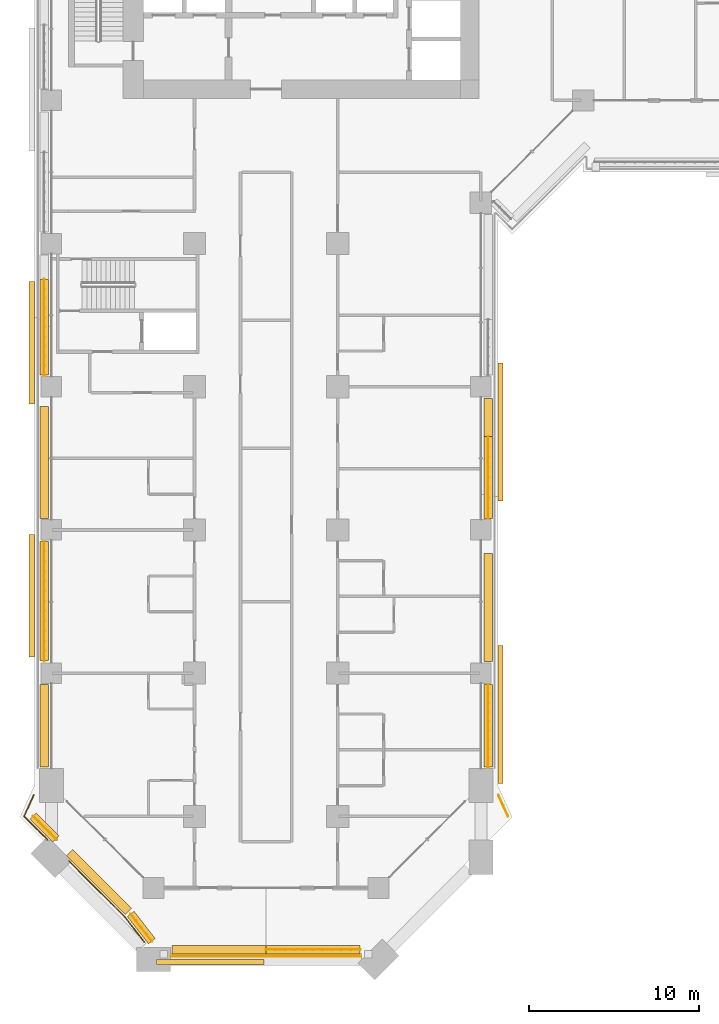
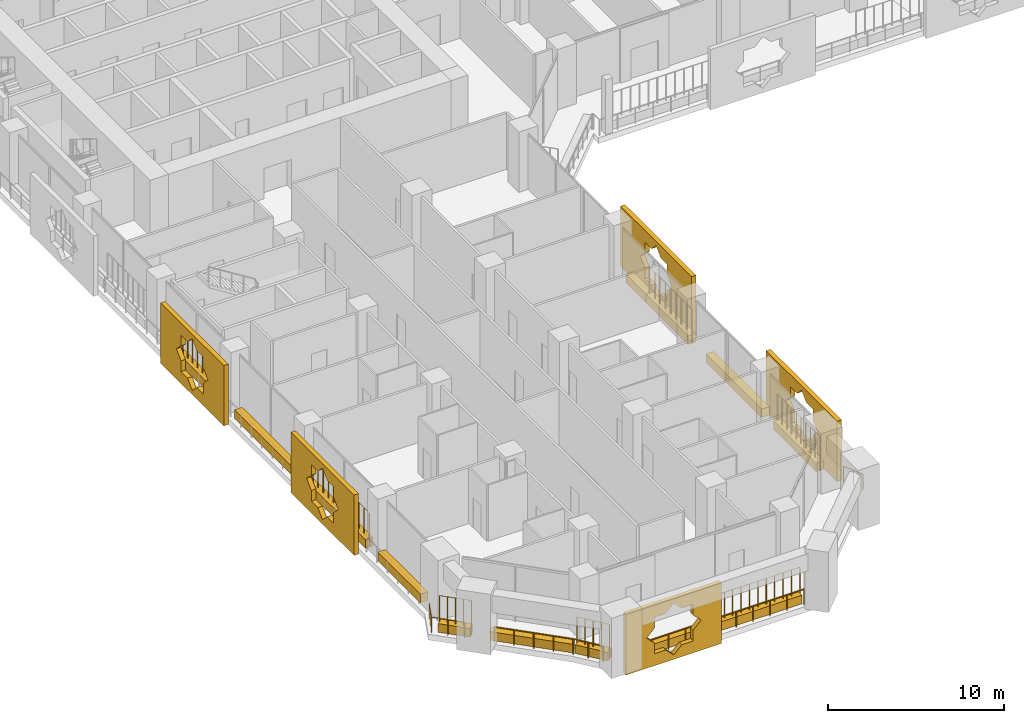
# One storey, part 21 of 28: 18 coverings, 11 railings.
"""IFC4 building model written with IfcOpenShell, lengths in metres."""

import ifcopenshell
import ifcopenshell.guid

model = None  # the IFC model being written
_history = None  # IfcOwnerHistory: only IFC2X3 demands one
_inside = {}  # id of a spatial element -> (the spatial element, [elements in it])
_under = {}  # id of a project, library or spatial element -> (it, [spatial elements below it])
_declared = {}  # id of a project -> (the project, [libraries it declares])
_typed = {}  # id of a type object -> (the type object, [elements of that type])
_made_of = {}  # id of a material, layer set ... -> (it, [elements and type objects made of it])


def new_model(schema):
    """Start an empty IFC model of exactly this schema.

    Asked for "IFC4X3", IfcOpenShell would pick the latest addendum, in which some entities
    have other attributes; the version numbers below select the first issue.
    IFC2X3 requires an IfcOwnerHistory on every rooted entity: one is made here for all.
    """
    global model, _history
    if schema == "IFC4X3":
        model = ifcopenshell.file(schema_version=(4, 3, 0, 0))
    else:
        model = ifcopenshell.file(schema=schema)
    _inside.clear()
    _under.clear()
    _declared.clear()
    _typed.clear()
    _made_of.clear()
    _history = None
    if model.schema == "IFC2X3":
        org = make("IfcOrganization", Name="unknown")
        user = make(
            "IfcPersonAndOrganization",
            ThePerson=make("IfcPerson", FamilyName="unknown"),
            TheOrganization=org,
        )
        app = make(
            "IfcApplication",
            ApplicationDeveloper=org,
            Version="unknown",
            ApplicationFullName="unknown",
            ApplicationIdentifier="unknown",
        )
        _history = make(
            "IfcOwnerHistory",
            OwningUser=user,
            OwningApplication=app,
            ChangeAction="ADDED",
            CreationDate=0,
        )
    return model


def make(cls, **values):
    """One entity of the class cls with the attributes given. An attribute that is None is left unset."""
    return model.create_entity(
        cls, **{name: value for name, value in values.items() if value is not None}
    )


def rooted(cls, **values):
    """An entity with a GlobalId (a new one), such as an element, a storey or a relation."""
    return make(cls, GlobalId=ifcopenshell.guid.new(), OwnerHistory=_history, **values)


def si_unit(unit_type, name, prefix=None):
    """IfcSIUnit, for example si_unit("LENGTHUNIT", "METRE", prefix="MILLI")."""
    return make("IfcSIUnit", UnitType=unit_type, Prefix=prefix, Name=name)


def assignment(units):
    """IfcUnitAssignment: the units of a project."""
    return None if units is None else make("IfcUnitAssignment", Units=units)


def point(xyz):
    """IfcCartesianPoint."""
    return None if xyz is None else make("IfcCartesianPoint", Coordinates=xyz)


def direction(xyz):
    """IfcDirection."""
    return None if xyz is None else make("IfcDirection", DirectionRatios=xyz)


def frame(location, z_axis=None, x_axis=None):
    """IfcAxis2Placement3D, a coordinate frame: its origin and axes. An axis left out is left unset."""
    return make(
        "IfcAxis2Placement3D",
        Location=point(location),
        Axis=direction(z_axis),
        RefDirection=direction(x_axis),
    )


def frame_2d(location, x_axis=None):
    """IfcAxis2Placement2D, a coordinate frame in the plane: its origin and x axis."""
    return make(
        "IfcAxis2Placement2D", Location=point(location), RefDirection=direction(x_axis)
    )


def origin():
    """The frame at (0, 0, 0) with its axes left unset."""
    return frame((0.0, 0.0, 0.0))


def origin_2d():
    """The frame at (0, 0) in the plane with its x axis left unset."""
    return frame_2d((0.0, 0.0))


def place(relative_to, where):
    """IfcLocalPlacement: puts the frame where relative to a parent placement (None: the world)."""
    return make(
        "IfcLocalPlacement", PlacementRelTo=relative_to, RelativePlacement=where
    )


def context(
    kind, dimensions, precision=None, world=None, true_north=None, identifier=None
):
    """IfcGeometricRepresentationContext, for example the 3D "Model" context."""
    return make(
        "IfcGeometricRepresentationContext",
        ContextIdentifier=identifier,
        ContextType=kind,
        CoordinateSpaceDimension=dimensions,
        Precision=precision,
        WorldCoordinateSystem=world,
        TrueNorth=true_north,
    )


def subcontext(parent, identifier, kind, view, scale=None):
    """IfcGeometricRepresentationSubContext, for example "Body" below "Model"."""
    return make(
        "IfcGeometricRepresentationSubContext",
        ContextIdentifier=identifier,
        ContextType=kind,
        ParentContext=parent,
        TargetScale=scale,
        TargetView=view,
    )


def project(units=None, contexts=None):
    """IfcProject with its units and contexts."""
    return rooted(
        "IfcProject",
        Name="project",
        RepresentationContexts=contexts,
        UnitsInContext=assignment(units),
    )


def spatial(cls, under=None, at=None, **own):
    """A site, building, storey or space (cls), placed at a placement, below another one or the project."""
    s = rooted(cls, ObjectPlacement=at, **own)
    if under is not None:
        _under.setdefault(under.id(), (under, []))[1].append(s)
    return s


def polyline(points):
    """IfcPolyline through the points."""
    return make("IfcPolyline", Points=[point(p) for p in points])


def profile(cls, at=None, kind="AREA", **sizes):
    """A parametric profile (cls). Its sizes go by their IFC names, for example OverallWidth=200.0."""
    return make(cls, ProfileType=kind, Position=at, **sizes)


def rectangle(**sizes):
    """IfcRectangleProfileDef."""
    return profile("IfcRectangleProfileDef", **sizes)


def circle(**sizes):
    """IfcCircleProfileDef."""
    return profile("IfcCircleProfileDef", **sizes)


def outline(outer, holes=None, kind="AREA"):
    """IfcArbitraryClosedProfileDef: a profile drawn as a closed curve; with holes, ...WithVoids."""
    if holes is None:
        return make("IfcArbitraryClosedProfileDef", ProfileType=kind, OuterCurve=outer)
    return make(
        "IfcArbitraryProfileDefWithVoids",
        ProfileType=kind,
        OuterCurve=outer,
        InnerCurves=holes,
    )


def extrude(swept, where, along, depth):
    """IfcExtrudedAreaSolid: the profile swept, set in the frame where, extruded along a direction by depth."""
    return make(
        "IfcExtrudedAreaSolid",
        SweptArea=swept,
        Position=where,
        ExtrudedDirection=direction(along),
        Depth=depth,
    )


def shape(context_of_items, identifier, shape_type, items):
    """IfcShapeRepresentation: the items that make up one representation, for example the "Body"."""
    return make(
        "IfcShapeRepresentation",
        ContextOfItems=context_of_items,
        RepresentationIdentifier=identifier,
        RepresentationType=shape_type,
        Items=items,
    )


def material(Name=None, Category=None):
    """IfcMaterial."""
    return make("IfcMaterial", Name=Name, Category=Category)


def material_profile(
    of_material, cross_section, Name=None, Category=None, Priority=None
):
    """IfcMaterialProfile: a cross section and its material."""
    return make(
        "IfcMaterialProfile",
        Name=Name,
        Material=of_material,
        Profile=cross_section,
        Priority=Priority,
        Category=Category,
    )


def profile_set(profiles, Name=None, composite=None):
    """IfcMaterialProfileSet."""
    return make(
        "IfcMaterialProfileSet",
        Name=Name,
        MaterialProfiles=profiles,
        CompositeProfile=composite,
    )


def made_of(thing, what):
    """Note that an element or type object is made of a material, layer set ...; save() writes the relation."""
    if what is not None:
        _made_of.setdefault(what.id(), (what, []))[1].append(thing)
    return thing


def type_object(cls, material=None, **own):
    """A type object (cls), such as IfcWallType, which elements share."""
    return made_of(rooted(cls, **own), material)


def element(
    cls,
    number,
    at=None,
    inside=None,
    cuts=None,
    type_object=None,
    material=None,
    context=None,
    identifier="Body",
    shape_type=None,
    held_by="IfcProductDefinitionShape",
    body=None,
    shapes=None,
    **own,
):
    """One element of the class cls, such as IfcWall. Its Tag is "e" and its number.

    at: its placement. inside: the storey or other place that contains it. cuts: it is an
    opening in that element (IfcRelVoidsElement). A single representation is given by context,
    identifier, shape_type and body (its items); several are given by shapes. held_by: the class
    of the entity that holds the representations. save() writes the other relations.
    """
    e = rooted(cls, Tag="e%d" % number, ObjectPlacement=at, **own)
    if body is not None:
        shapes = [shape(context, identifier, shape_type, body)]
    if shapes is not None:
        e.Representation = make(held_by, Representations=shapes)
    if inside is not None:
        _inside.setdefault(inside.id(), (inside, []))[1].append(e)
    if cuts is not None:
        rooted(
            "IfcRelVoidsElement", RelatingBuildingElement=cuts, RelatedOpeningElement=e
        )
    if type_object is not None:
        _typed.setdefault(type_object.id(), (type_object, []))[1].append(e)
    return made_of(e, material)


def aggregate(whole, parts):
    """IfcRelAggregates: a whole, such as a stair, and the parts it consists of."""
    return rooted("IfcRelAggregates", RelatingObject=whole, RelatedObjects=parts)


def save(model, path):
    """Write the relations noted so far, then the file.

    IfcRelAggregates (storeys below a building ...), IfcRelContainedInSpatialStructure (elements
    in a storey), IfcRelDefinesByType, IfcRelAssociatesMaterial and IfcRelDeclares: one each for
    every whole, place, type object, material and project.
    """
    for whole, parts in _under.values():
        aggregate(whole, parts)
    for where, things in _inside.values():
        rooted(
            "IfcRelContainedInSpatialStructure",
            RelatedElements=things,
            RelatingStructure=where,
        )
    for kind, things in _typed.values():
        rooted("IfcRelDefinesByType", RelatedObjects=things, RelatingType=kind)
    for what, things in _made_of.values():
        rooted("IfcRelAssociatesMaterial", RelatedObjects=things, RelatingMaterial=what)
    for by, libraries in _declared.values():
        rooted("IfcRelDeclares", RelatingContext=by, RelatedDefinitions=libraries)
    model.write(path)


model = new_model("IFC4")

# Units and contexts
model_context = context("Model", 3, precision=1e-05, world=origin(), true_north=direction((0.0, 1.0)))
body_context = subcontext(model_context, "Body", "Model", "MODEL_VIEW")
ifc_project = project(units=[si_unit("LENGTHUNIT", "METRE"), si_unit("AREAUNIT", "SQUARE_METRE"), si_unit("VOLUMEUNIT", "CUBIC_METRE"), si_unit("PLANEANGLEUNIT", "RADIAN"), si_unit("MASSUNIT", "GRAM", prefix="KILO")], contexts=[model_context])

# Site, building, storey
site_placement = place(None, origin())
site = spatial("IfcSite", under=ifc_project, at=site_placement, CompositionType="ELEMENT")
building_placement = place(site_placement, origin())
building = spatial("IfcBuilding", under=site, at=building_placement, Name="Kawkab Arch Medical Tower", CompositionType="ELEMENT")
storey_placement = place(building_placement, frame((0.0, 0.0, 56.0)))
storey = spatial("IfcBuildingStorey", under=building, at=storey_placement, Name="L12", CompositionType="ELEMENT", Elevation=56.0)

# Railings
ifc_material_1 = material(Name="Bronze anodised aluminium guard", Category="aluminium")
railing_type_1 = type_object("IfcRailingType", Name="Loggia and terrace guard 1100", PredefinedType="GUARDRAIL", material=ifc_material_1)
railing_1_placement = place(storey_placement, frame((18.169921875, -75.39990234375, 0.0)))
element("IfcRailing", 1, at=railing_1_placement, inside=storey, type_object=railing_type_1, Name="Guard L12.LOG-01.1.1", PredefinedType="GUARDRAIL", context=body_context, shape_type="SweptSolid", body=[
    extrude(circle(Radius=0.02392578125, at=origin_2d()), frame((0.0, 0.0, 1.076171875), z_axis=(-1.0, 0.0, 0.0), x_axis=(0.0, -1.0, 0.0)), (0.0, 0.0, 1.0), 11.139892578125),
    extrude(circle(Radius=0.02099609375, at=origin_2d()), origin(), (0.0, 0.0, 1.0), 1.052001953125),
    extrude(circle(Radius=0.02099609375, at=origin_2d()), frame((-1.114013671875, 0.0, 0.0)), (0.0, 0.0, 1.0), 1.052001953125),
    extrude(circle(Radius=0.02099609375, at=origin_2d()), frame((-2.22802734375, 0.0, 0.0)), (0.0, 0.0, 1.0), 1.052001953125),
    extrude(circle(Radius=0.02099609375, at=origin_2d()), frame((-3.342041015625, 0.0, 0.0)), (0.0, 0.0, 1.0), 1.052001953125),
    extrude(circle(Radius=0.02099609375, at=origin_2d()), frame((-4.4560546875, 0.0, 0.0)), (0.0, 0.0, 1.0), 1.052001953125),
    extrude(circle(Radius=0.02099609375, at=origin_2d()), frame((-5.56982421875, 0.0, 0.0)), (0.0, 0.0, 1.0), 1.052001953125),
    extrude(circle(Radius=0.02099609375, at=origin_2d()), frame((-6.683837890625, 0.0, 0.0)), (0.0, 0.0, 1.0), 1.052001953125),
    extrude(circle(Radius=0.02099609375, at=origin_2d()), frame((-7.7978515625, 0.0, 0.0)), (0.0, 0.0, 1.0), 1.052001953125),
    extrude(circle(Radius=0.02099609375, at=origin_2d()), frame((-8.911865234375, 0.0, 0.0)), (0.0, 0.0, 1.0), 1.052001953125),
    extrude(circle(Radius=0.02099609375, at=origin_2d()), frame((-10.02587890625, 0.0, 0.0)), (0.0, 0.0, 1.0), 1.052001953125),
    extrude(circle(Radius=0.02099609375, at=origin_2d()), frame((-11.139892578125, 0.0, 0.0)), (0.0, 0.0, 1.0), 1.052001953125),
])
railing_2_placement = place(storey_placement, frame((5.451904296875, -74.570068359375, 0.0)))
element("IfcRailing", 2, at=railing_2_placement, inside=storey, type_object=railing_type_1, Name="Guard L12.LOG-01.1.2", PredefinedType="GUARDRAIL", context=body_context, shape_type="SweptSolid", body=[
    extrude(circle(Radius=0.02392578125, at=origin_2d()), frame((0.0, 0.0, 1.076171875), z_axis=(-0.614068078989, 0.789253061044, 0.0), x_axis=(-0.789253061044, -0.614068078989, 0.0)), (0.0, 0.0, 1.0), 1.856201171875),
    extrude(circle(Radius=0.02392578125, at=origin_2d()), frame((-1.139892578125, 1.465087890625, 1.076171875), z_axis=(-0.707106781187, 0.707106781187, 0.0), x_axis=(-0.707106781187, -0.707106781187, 0.0)), (0.0, 0.0, 1.0), 4.641357421875),
    extrude(circle(Radius=0.02099609375, at=origin_2d()), origin(), (0.0, 0.0, 1.0), 1.052001953125),
    extrude(circle(Radius=0.02099609375, at=origin_2d()), frame((-0.56982421875, 0.732421875, 0.0)), (0.0, 0.0, 1.0), 1.052001953125),
    extrude(circle(Radius=0.02099609375, at=origin_2d()), frame((-1.139892578125, 1.465087890625, 0.0)), (0.0, 0.0, 1.0), 1.052001953125),
    extrude(circle(Radius=0.02099609375, at=origin_2d()), frame((-1.96044921875, 2.28564453125, 0.0)), (0.0, 0.0, 1.0), 1.052001953125),
    extrude(circle(Radius=0.02099609375, at=origin_2d()), frame((-2.78076171875, 3.10595703125, 0.0)), (0.0, 0.0, 1.0), 1.052001953125),
    extrude(circle(Radius=0.02099609375, at=origin_2d()), frame((-3.601318359375, 3.926513671875, 0.0)), (0.0, 0.0, 1.0), 1.052001953125),
    extrude(circle(Radius=0.02099609375, at=origin_2d()), frame((-4.421875, 4.7470703125, 0.0)), (0.0, 0.0, 1.0), 1.052001953125),
])
railing_3_placement = place(storey_placement, frame((-0.222900390625, -68.570068359375, 0.0)))
element("IfcRailing", 3, at=railing_3_placement, inside=storey, type_object=railing_type_1, Name="Guard L12.LOG-01.1.3", PredefinedType="GUARDRAIL", context=body_context, shape_type="SweptSolid", body=[
    extrude(circle(Radius=0.02392578125, at=origin_2d()), frame((0.0, 0.0, 1.076171875), z_axis=(-0.707106781187, 0.707106781187, 0.0), x_axis=(-0.707106781187, -0.707106781187, 0.0)), (0.0, 0.0, 1.0), 1.944580078125),
    extrude(circle(Radius=0.02392578125, at=origin_2d()), frame((-1.375, 1.375, 1.076171875), z_axis=(0.414420337807, 0.910085591366, 0.0), x_axis=(-0.910085591366, 0.414420337807, 0.0)), (0.0, 0.0, 1.0), 1.370361328125),
    extrude(circle(Radius=0.02099609375, at=origin_2d()), origin(), (0.0, 0.0, 1.0), 1.052001953125),
    extrude(circle(Radius=0.02099609375, at=origin_2d()), frame((-0.6875, 0.6875, 0.0)), (0.0, 0.0, 1.0), 1.052001953125),
    extrude(circle(Radius=0.02099609375, at=origin_2d()), frame((-1.375, 1.375, 0.0)), (0.0, 0.0, 1.0), 1.052001953125),
    extrude(circle(Radius=0.02099609375, at=origin_2d()), frame((-1.091064453125, 1.99853515625, 0.0)), (0.0, 0.0, 1.0), 1.052001953125),
    extrude(circle(Radius=0.02099609375, at=origin_2d()), frame((-0.80712890625, 2.6220703125, 0.0)), (0.0, 0.0, 1.0), 1.052001953125),
])
railing_4_placement = place(storey_placement, frame((26.22998046875, -65.947998046875, 0.0)))
element("IfcRailing", 4, at=railing_4_placement, inside=storey, type_object=railing_type_1, Name="Guard L12.LOG-01.1.5", PredefinedType="GUARDRAIL", context=body_context, shape_type="SweptSolid", body=[
    extrude(circle(Radius=0.02392578125, at=origin_2d()), frame((0.0, 0.0, 1.076171875), z_axis=(0.414567890698, -0.910018386629, 0.0), x_axis=(0.910018386629, 0.414567890698, 0.0)), (0.0, 0.0, 1.0), 1.370361328125),
    extrude(circle(Radius=0.02099609375, at=origin_2d()), origin(), (0.0, 0.0, 1.0), 1.052001953125),
    extrude(circle(Radius=0.02099609375, at=origin_2d()), frame((0.2841796875, -0.62353515625, 0.0)), (0.0, 0.0, 1.0), 1.052001953125),
    extrude(circle(Radius=0.02099609375, at=origin_2d()), frame((0.568115234375, -1.2470703125, 0.0)), (0.0, 0.0, 1.0), 1.052001953125),
])

# Coverings
ifc_material_2 = material(Name="Bronze anodised aluminium mashrabiya panel, eight-point star pattern", Category="aluminium")
ifc_material_profile_1 = material_profile(ifc_material_2, outline(polyline([(-3.14990234375, -2.10009765625), (3.14990234375, -2.10009765625), (3.14990234375, 2.10009765625), (-3.14990234375, 2.10009765625), (-3.14990234375, -2.10009765625)]), holes=[polyline([(1.800048828125, 0.0), (1.272705078125, 0.527099609375), (1.272705078125, 1.272705078125), (0.527099609375, 1.272705078125), (0.0, 1.800048828125), (-0.527099609375, 1.272705078125), (-1.272705078125, 1.272705078125), (-1.272705078125, 0.527099609375), (-1.800048828125, 0.0), (-1.272705078125, -0.527099609375), (-1.272705078125, -1.272705078125), (-0.527099609375, -1.272705078125), (0.0, -1.800048828125), (0.527099609375, -1.272705078125), (1.272705078125, -1.272705078125), (1.272705078125, -0.527099609375), (1.800048828125, 0.0)])]), Name="Mashrabiya panel 6300x4200")
ifc_profile_set_1 = profile_set([ifc_material_profile_1], Name="Bronze anodised aluminium mashrabiya panel, eight-point star pattern")
covering_type_1 = type_object("IfcCoveringType", Name="Mashrabiya panel 6300 x 4200", PredefinedType="USERDEFINED", material=ifc_profile_set_1)
covering_1_placement = place(storey_placement, frame((9.322509765625, -75.60009765625, 1.699951171875), z_axis=(0.0, -1.0, 0.0), x_axis=(1.0, 0.0, 0.0)))
element("IfcCovering", 5, at=covering_1_placement, inside=storey, type_object=covering_type_1, Name="Mashrabiya panel L12.LOG-01-01.1", ObjectType="SCREEN", PredefinedType="USERDEFINED", context=body_context, shape_type="SweptSolid", body=[
    extrude(outline(polyline([(-3.14990234375, -2.10009765625), (3.14990234375, -2.10009765625), (3.14990234375, 2.10009765625), (-3.14990234375, 2.10009765625), (-3.14990234375, -2.10009765625)]), holes=[polyline([(1.800048828125, 0.0), (1.272705078125, 0.527099609375), (1.272705078125, 1.272705078125), (0.527099609375, 1.272705078125), (0.0, 1.800048828125), (-0.527099609375, 1.272705078125), (-1.272705078125, 1.272705078125), (-1.272705078125, 0.527099609375), (-1.800048828125, 0.0), (-1.272705078125, -0.527099609375), (-1.272705078125, -1.272705078125), (-0.527099609375, -1.272705078125), (0.0, -1.800048828125), (0.527099609375, -1.272705078125), (1.272705078125, -1.272705078125), (1.272705078125, -0.527099609375), (1.800048828125, 0.0)])]), origin(), (0.0, 0.0, 1.0), 0.2998046875),
])
ifc_material_3 = material(Name="Bronze anodised aluminium mashrabiya panel, eight-point star pattern", Category="aluminium")
ifc_material_profile_2 = material_profile(ifc_material_3, outline(polyline([(-3.60009765625, -2.10009765625), (3.60009765625, -2.10009765625), (3.60009765625, 2.10009765625), (-3.60009765625, 2.10009765625), (-3.60009765625, -2.10009765625)]), holes=[polyline([(1.800048828125, 0.0), (1.272705078125, 0.527099609375), (1.272705078125, 1.272705078125), (0.527099609375, 1.272705078125), (0.0, 1.800048828125), (-0.527099609375, 1.272705078125), (-1.272705078125, 1.272705078125), (-1.272705078125, 0.527099609375), (-1.800048828125, 0.0), (-1.272705078125, -0.527099609375), (-1.272705078125, -1.272705078125), (-0.527099609375, -1.272705078125), (0.0, -1.800048828125), (0.527099609375, -1.272705078125), (1.272705078125, -1.272705078125), (1.272705078125, -0.527099609375), (1.800048828125, 0.0)])]), Name="Mashrabiya panel 7200x4200")
ifc_profile_set_2 = profile_set([ifc_material_profile_2], Name="Bronze anodised aluminium mashrabiya panel, eight-point star pattern")
covering_type_2 = type_object("IfcCoveringType", Name="Mashrabiya panel 7200 x 4200", PredefinedType="USERDEFINED", material=ifc_profile_set_2)
for number, where, z_axis, x_axis, name in (
    (6, (-1.0, -54.263916015625, 1.699951171875), (-1.0, 0.0, 0.0), (0.0, -1.0, 0.0), "Mashrabiya panel L12.LOG-01-01.2"),
    (7, (-1.0, -39.412841796875, 1.699951171875), (-1.0, 0.0, 0.0), (0.0, -1.0, 0.0), "Mashrabiya panel L12.LOG-01-01.3"),
):
    element("IfcCovering", number, at=place(storey_placement, frame(where, z_axis=z_axis, x_axis=x_axis)), inside=storey, type_object=covering_type_2, Name=name, ObjectType="SCREEN", PredefinedType="USERDEFINED", context=body_context, shape_type="SweptSolid", body=[
        extrude(outline(polyline([(-3.60009765625, -2.10009765625), (3.60009765625, -2.10009765625), (3.60009765625, 2.10009765625), (-3.60009765625, 2.10009765625), (-3.60009765625, -2.10009765625)]), holes=[polyline([(1.800048828125, 0.0), (1.272705078125, 0.527099609375), (1.272705078125, 1.272705078125), (0.527099609375, 1.272705078125), (0.0, 1.800048828125), (-0.527099609375, 1.272705078125), (-1.272705078125, 1.272705078125), (-1.272705078125, 0.527099609375), (-1.800048828125, 0.0), (-1.272705078125, -0.527099609375), (-1.272705078125, -1.272705078125), (-0.527099609375, -1.272705078125), (0.0, -1.800048828125), (0.527099609375, -1.272705078125), (1.272705078125, -1.272705078125), (1.272705078125, -0.527099609375), (1.800048828125, 0.0)])]), origin(), (0.0, 0.0, 1.0), 0.300048828125),
    ])
ifc_material_4 = material(Name="Bronze anodised aluminium mashrabiya panel, eight-point star pattern", Category="aluminium")
ifc_material_profile_3 = material_profile(ifc_material_4, outline(polyline([(-4.050048828125, -2.10009765625), (4.050048828125, -2.10009765625), (4.050048828125, 2.10009765625), (-4.050048828125, 2.10009765625), (-4.050048828125, -2.10009765625)]), holes=[polyline([(1.800048828125, 0.0), (1.272705078125, 0.527099609375), (1.272705078125, 1.272705078125), (0.527099609375, 1.272705078125), (0.0, 1.800048828125), (-0.527099609375, 1.272705078125), (-1.272705078125, 1.272705078125), (-1.272705078125, 0.527099609375), (-1.800048828125, 0.0), (-1.272705078125, -0.527099609375), (-1.272705078125, -1.272705078125), (-0.527099609375, -1.272705078125), (0.0, -1.800048828125), (0.527099609375, -1.272705078125), (1.272705078125, -1.272705078125), (1.272705078125, -0.527099609375), (1.800048828125, 0.0)])]), Name="Mashrabiya panel 8100x4200")
ifc_profile_set_3 = profile_set([ifc_material_profile_3], Name="Bronze anodised aluminium mashrabiya panel, eight-point star pattern")
covering_type_3 = type_object("IfcCoveringType", Name="Mashrabiya panel 8100 x 4200", PredefinedType="USERDEFINED", material=ifc_profile_set_3)
for number, where, z_axis, x_axis, name in (
    (8, (26.199951171875, -44.639892578125, 1.699951171875), (1.0, 0.0, 0.0), (0.0, 1.0, 0.0), "Mashrabiya panel L12.LOG-01-01.14"),
    (9, (26.199951171875, -61.229736328125, 1.699951171875), (1.0, 0.0, 0.0), (0.0, 1.0, 0.0), "Mashrabiya panel L12.LOG-01-01.15"),
):
    element("IfcCovering", number, at=place(storey_placement, frame(where, z_axis=z_axis, x_axis=x_axis)), inside=storey, type_object=covering_type_3, Name=name, ObjectType="SCREEN", PredefinedType="USERDEFINED", context=body_context, shape_type="SweptSolid", body=[
        extrude(outline(polyline([(-4.050048828125, -2.10009765625), (4.050048828125, -2.10009765625), (4.050048828125, 2.10009765625), (-4.050048828125, 2.10009765625), (-4.050048828125, -2.10009765625)]), holes=[polyline([(1.800048828125, 0.0), (1.272705078125, 0.527099609375), (1.272705078125, 1.272705078125), (0.527099609375, 1.272705078125), (0.0, 1.800048828125), (-0.527099609375, 1.272705078125), (-1.272705078125, 1.272705078125), (-1.272705078125, 0.527099609375), (-1.800048828125, 0.0), (-1.272705078125, -0.527099609375), (-1.272705078125, -1.272705078125), (-0.527099609375, -1.272705078125), (0.0, -1.800048828125), (0.527099609375, -1.272705078125), (1.272705078125, -1.272705078125), (1.272705078125, -0.527099609375), (1.800048828125, 0.0)])]), origin(), (0.0, 0.0, 1.0), 0.300048828125),
    ])
ifc_material_5 = material(Name="Planting soil in a precast trough", Category="concrete")
ifc_material_profile_4 = material_profile(ifc_material_5, rectangle(XDim=0.5, YDim=0.60009765625, at=origin_2d()), Name="Trough 500x600")
ifc_profile_set_4 = profile_set([ifc_material_profile_4], Name="Planting soil in a precast trough")
covering_type_4 = type_object("IfcCoveringType", Name="Planter trough 500 x 600", PredefinedType="USERDEFINED", material=ifc_profile_set_4)
for number, where, z_axis, x_axis, name in (
    (10, (18.1201171875, -75.02001953125, 0.300048828125), (-1.0, 0.0, 0.0), (0.0, -1.0, 0.0), "Planter L12.LOG-01-01.1"),
    (11, (12.60009765625, -75.02001953125, 0.300048828125), (-1.0, 0.0, 0.0), (0.0, -1.0, 0.0), "Planter L12.LOG-01-01.2"),
):
    element("IfcCovering", number, at=place(storey_placement, frame(where, z_axis=z_axis, x_axis=x_axis)), inside=storey, type_object=covering_type_4, Name=name, ObjectType="PLANTER", PredefinedType="USERDEFINED", context=body_context, shape_type="SweptSolid", body=[
        extrude(rectangle(XDim=0.5, YDim=0.60009765625, at=origin_2d()), origin(), (0.0, 0.0, 1.0), 5.52001953125),
    ])
covering_2_placement = place(storey_placement, frame((5.89501953125, -74.52001953125, 0.300048828125), z_axis=(-0.61420933359, 0.789143139444, 0.0), x_axis=(-0.789143139444, -0.61420933359, 0.0)))
element("IfcCovering", 12, at=covering_2_placement, inside=storey, type_object=covering_type_4, Name="Planter L12.LOG-01-01.3", ObjectType="PLANTER", PredefinedType="USERDEFINED", context=body_context, shape_type="SweptSolid", body=[
    extrude(rectangle(XDim=0.5, YDim=0.60009765625, at=origin_2d()), origin(), (0.0, 0.0, 1.0), 2.012451171875),
])
covering_3_placement = place(storey_placement, frame((4.527099609375, -72.782958984375, 0.300048828125), z_axis=(-0.707106781187, 0.707106781187, 0.0), x_axis=(-0.707106781187, -0.707106781187, 0.0)))
element("IfcCovering", 13, at=covering_3_placement, inside=storey, type_object=covering_type_4, Name="Planter L12.LOG-01-01.4", ObjectType="PLANTER", PredefinedType="USERDEFINED", context=body_context, shape_type="SweptSolid", body=[
    extrude(rectangle(XDim=0.5, YDim=0.60009765625, at=origin_2d()), origin(), (0.0, 0.0, 1.0), 4.874755859375),
])
covering_4_placement = place(storey_placement, frame((0.263916015625, -68.52001953125, 0.300048828125), z_axis=(-0.707106781187, 0.707106781187, 0.0), x_axis=(-0.707106781187, -0.707106781187, 0.0)))
element("IfcCovering", 14, at=covering_4_placement, inside=storey, type_object=covering_type_4, Name="Planter L12.LOG-01-01.5", ObjectType="PLANTER", PredefinedType="USERDEFINED", context=body_context, shape_type="SweptSolid", body=[
    extrude(rectangle(XDim=0.5, YDim=0.60009765625, at=origin_2d()), origin(), (0.0, 0.0, 1.0), 1.890625),
])
covering_5_placement = place(storey_placement, frame((-0.419921875, -64.320068359375, 0.300048828125), z_axis=(0.0, 1.0, 0.0), x_axis=(-1.0, 0.0, 0.0)))
element("IfcCovering", 15, at=covering_5_placement, inside=storey, type_object=covering_type_4, Name="Planter L12.LOG-01-01.6", ObjectType="PLANTER", PredefinedType="USERDEFINED", context=body_context, shape_type="SweptSolid", body=[
    extrude(rectangle(XDim=0.5, YDim=0.60009765625, at=origin_2d()), origin(), (0.0, 0.0, 1.0), 4.840087890625),
])
covering_6_placement = place(storey_placement, frame((-0.419921875, -58.069091796875, 0.300048828125), z_axis=(0.0, 1.0, 0.0), x_axis=(-1.0, 0.0, 0.0)))
element("IfcCovering", 16, at=covering_6_placement, inside=storey, type_object=covering_type_4, Name="Planter L12.LOG-01-01.7", ObjectType="PLANTER", PredefinedType="USERDEFINED", context=body_context, shape_type="SweptSolid", body=[
    extrude(rectangle(XDim=0.5, YDim=0.60009765625, at=origin_2d()), origin(), (0.0, 0.0, 1.0), 6.989013671875),
])
covering_7_placement = place(storey_placement, frame((-0.419921875, -49.719970703125, 0.300048828125), z_axis=(0.0, 1.0, 0.0), x_axis=(-1.0, 0.0, 0.0)))
element("IfcCovering", 17, at=covering_7_placement, inside=storey, type_object=covering_type_4, Name="Planter L12.LOG-01-01.8", ObjectType="PLANTER", PredefinedType="USERDEFINED", context=body_context, shape_type="SweptSolid", body=[
    extrude(rectangle(XDim=0.5, YDim=0.60009765625, at=origin_2d()), origin(), (0.0, 0.0, 1.0), 6.56396484375),
])
covering_8_placement = place(storey_placement, frame((-0.419921875, -41.320068359375, 0.300048828125), z_axis=(0.0, 1.0, 0.0), x_axis=(-1.0, 0.0, 0.0)))
element("IfcCovering", 18, at=covering_8_placement, inside=storey, type_object=covering_type_4, Name="Planter L12.LOG-01-01.9", ObjectType="PLANTER", PredefinedType="USERDEFINED", context=body_context, shape_type="SweptSolid", body=[
    extrude(rectangle(XDim=0.5, YDim=0.60009765625, at=origin_2d()), origin(), (0.0, 0.0, 1.0), 5.6201171875),
])
covering_9_placement = place(storey_placement, frame((25.6201171875, -42.679931640625, 0.300048828125), z_axis=(0.0, -1.0, 0.0), x_axis=(1.0, 0.0, 0.0)))
element("IfcCovering", 19, at=covering_9_placement, inside=storey, type_object=covering_type_4, Name="Planter L12.LOG-01-01.46", ObjectType="PLANTER", PredefinedType="USERDEFINED", context=body_context, shape_type="SweptSolid", body=[
    extrude(rectangle(XDim=0.5, YDim=0.60009765625, at=origin_2d()), origin(), (0.0, 0.0, 1.0), 2.240966796875),
])
covering_10_placement = place(storey_placement, frame((25.6201171875, -44.9208984375, 0.300048828125), z_axis=(0.0, -1.0, 0.0), x_axis=(1.0, 0.0, 0.0)))
element("IfcCovering", 20, at=covering_10_placement, inside=storey, type_object=covering_type_4, Name="Planter L12.LOG-01-01.47", ObjectType="PLANTER", PredefinedType="USERDEFINED", context=body_context, shape_type="SweptSolid", body=[
    extrude(rectangle(XDim=0.5, YDim=0.60009765625, at=origin_2d()), origin(), (0.0, 0.0, 1.0), 4.799072265625),
])
covering_11_placement = place(storey_placement, frame((25.6201171875, -51.7890625, 0.300048828125), z_axis=(0.0, -1.0, 0.0), x_axis=(1.0, 0.0, 0.0)))
element("IfcCovering", 21, at=covering_11_placement, inside=storey, type_object=covering_type_4, Name="Planter L12.LOG-01-01.48", ObjectType="PLANTER", PredefinedType="USERDEFINED", context=body_context, shape_type="SweptSolid", body=[
    extrude(rectangle(XDim=0.5, YDim=0.60009765625, at=origin_2d()), origin(), (0.0, 0.0, 1.0), 6.3310546875),
])
covering_12_placement = place(storey_placement, frame((25.6201171875, -59.47998046875, 0.300048828125), z_axis=(0.0, -1.0, 0.0), x_axis=(1.0, 0.0, 0.0)))
element("IfcCovering", 22, at=covering_12_placement, inside=storey, type_object=covering_type_4, Name="Planter L12.LOG-01-01.49", ObjectType="PLANTER", PredefinedType="USERDEFINED", context=body_context, shape_type="SweptSolid", body=[
    extrude(rectangle(XDim=0.5, YDim=0.60009765625, at=origin_2d()), origin(), (0.0, 0.0, 1.0), 4.840087890625),
])

# Railings
ifc_material_6 = material(Name="Bronze anodised aluminium trellis for climbing plants", Category="aluminium")
railing_type_2 = type_object("IfcRailingType", Name="Planting trellis 2400", PredefinedType="USERDEFINED", material=ifc_material_6)
railing_5_placement = place(storey_placement, frame((18.1201171875, -75.02001953125, 0.0)))
element("IfcRailing", 23, at=railing_5_placement, inside=storey, type_object=railing_type_2, Name="Planting trellis L12.LOG-01-01.1", ObjectType="TRELLIS", PredefinedType="USERDEFINED", context=body_context, shape_type="SweptSolid", body=[
    extrude(circle(Radius=0.01513671875, at=origin_2d()), frame((0.0, 0.0, 2.384765625), z_axis=(-1.0, 0.0, 0.0), x_axis=(0.0, -1.0, 0.0)), (0.0, 0.0, 1.0), 5.52001953125),
    extrude(circle(Radius=0.030029296875, at=origin_2d()), origin(), (0.0, 0.0, 1.0), 2.369873046875),
    extrude(circle(Radius=0.030029296875, at=origin_2d()), frame((-0.552001953125, 0.0, 0.0)), (0.0, 0.0, 1.0), 2.369873046875),
    extrude(circle(Radius=0.030029296875, at=origin_2d()), frame((-1.10400390625, 0.0, 0.0)), (0.0, 0.0, 1.0), 2.369873046875),
    extrude(circle(Radius=0.030029296875, at=origin_2d()), frame((-1.656005859375, 0.0, 0.0)), (0.0, 0.0, 1.0), 2.369873046875),
    extrude(circle(Radius=0.030029296875, at=origin_2d()), frame((-2.2080078125, 0.0, 0.0)), (0.0, 0.0, 1.0), 2.369873046875),
    extrude(circle(Radius=0.030029296875, at=origin_2d()), frame((-2.760009765625, 0.0, 0.0)), (0.0, 0.0, 1.0), 2.369873046875),
    extrude(circle(Radius=0.030029296875, at=origin_2d()), frame((-3.31201171875, 0.0, 0.0)), (0.0, 0.0, 1.0), 2.369873046875),
    extrude(circle(Radius=0.030029296875, at=origin_2d()), frame((-3.864013671875, 0.0, 0.0)), (0.0, 0.0, 1.0), 2.369873046875),
    extrude(circle(Radius=0.030029296875, at=origin_2d()), frame((-4.416015625, 0.0, 0.0)), (0.0, 0.0, 1.0), 2.369873046875),
    extrude(circle(Radius=0.030029296875, at=origin_2d()), frame((-4.968017578125, 0.0, 0.0)), (0.0, 0.0, 1.0), 2.369873046875),
    extrude(circle(Radius=0.030029296875, at=origin_2d()), frame((-5.52001953125, 0.0, 0.0)), (0.0, 0.0, 1.0), 2.369873046875),
])
railing_6_placement = place(storey_placement, frame((5.89501953125, -74.52001953125, 0.0)))
element("IfcRailing", 24, at=railing_6_placement, inside=storey, type_object=railing_type_2, Name="Planting trellis L12.LOG-01-01.3", ObjectType="TRELLIS", PredefinedType="USERDEFINED", context=body_context, shape_type="SweptSolid", body=[
    extrude(circle(Radius=0.01513671875, at=origin_2d()), frame((0.0, 0.0, 2.384765625), z_axis=(-0.61420933359, 0.789143139444, 0.0), x_axis=(-0.789143139444, -0.61420933359, 0.0)), (0.0, 0.0, 1.0), 2.012451171875),
    extrude(circle(Radius=0.030029296875, at=origin_2d()), origin(), (0.0, 0.0, 1.0), 2.369873046875),
    extrude(circle(Radius=0.030029296875, at=origin_2d()), frame((-0.30908203125, 0.39697265625, 0.0)), (0.0, 0.0, 1.0), 2.369873046875),
    extrude(circle(Radius=0.030029296875, at=origin_2d()), frame((-0.6181640625, 0.7939453125, 0.0)), (0.0, 0.0, 1.0), 2.369873046875),
    extrude(circle(Radius=0.030029296875, at=origin_2d()), frame((-0.927001953125, 1.191162109375, 0.0)), (0.0, 0.0, 1.0), 2.369873046875),
    extrude(circle(Radius=0.030029296875, at=origin_2d()), frame((-1.236083984375, 1.588134765625, 0.0)), (0.0, 0.0, 1.0), 2.369873046875),
])
railing_7_placement = place(storey_placement, frame((0.263916015625, -68.52001953125, 0.0)))
element("IfcRailing", 25, at=railing_7_placement, inside=storey, type_object=railing_type_2, Name="Planting trellis L12.LOG-01-01.5", ObjectType="TRELLIS", PredefinedType="USERDEFINED", context=body_context, shape_type="SweptSolid", body=[
    extrude(circle(Radius=0.01513671875, at=origin_2d()), frame((0.0, 0.0, 2.384765625), z_axis=(-0.707106781187, 0.707106781187, 0.0), x_axis=(-0.707106781187, -0.707106781187, 0.0)), (0.0, 0.0, 1.0), 1.890625),
    extrude(circle(Radius=0.030029296875, at=origin_2d()), origin(), (0.0, 0.0, 1.0), 2.369873046875),
    extrude(circle(Radius=0.030029296875, at=origin_2d()), frame((-0.334228515625, 0.334228515625, 0.0)), (0.0, 0.0, 1.0), 2.369873046875),
    extrude(circle(Radius=0.030029296875, at=origin_2d()), frame((-0.66845703125, 0.66845703125, 0.0)), (0.0, 0.0, 1.0), 2.369873046875),
    extrude(circle(Radius=0.030029296875, at=origin_2d()), frame((-1.002685546875, 1.002685546875, 0.0)), (0.0, 0.0, 1.0), 2.369873046875),
    extrude(circle(Radius=0.030029296875, at=origin_2d()), frame((-1.3369140625, 1.3369140625, 0.0)), (0.0, 0.0, 1.0), 2.369873046875),
])
railing_8_placement = place(storey_placement, frame((-0.419921875, -58.069091796875, 0.0)))
element("IfcRailing", 26, at=railing_8_placement, inside=storey, type_object=railing_type_2, Name="Planting trellis L12.LOG-01-01.7", ObjectType="TRELLIS", PredefinedType="USERDEFINED", context=body_context, shape_type="SweptSolid", body=[
    extrude(circle(Radius=0.01513671875, at=origin_2d()), frame((0.0, 0.0, 2.384765625), z_axis=(0.0, 1.0, 0.0), x_axis=(-1.0, 0.0, 0.0)), (0.0, 0.0, 1.0), 6.989013671875),
    extrude(circle(Radius=0.030029296875, at=origin_2d()), origin(), (0.0, 0.0, 1.0), 2.369873046875),
    extrude(circle(Radius=0.030029296875, at=origin_2d()), frame((0.0, 0.58251953125, 0.0)), (0.0, 0.0, 1.0), 2.369873046875),
    extrude(circle(Radius=0.030029296875, at=origin_2d()), frame((0.0, 1.164794921875, 0.0)), (0.0, 0.0, 1.0), 2.369873046875),
    extrude(circle(Radius=0.030029296875, at=origin_2d()), frame((0.0, 1.747314453125, 0.0)), (0.0, 0.0, 1.0), 2.369873046875),
    extrude(circle(Radius=0.030029296875, at=origin_2d()), frame((0.0, 2.32958984375, 0.0)), (0.0, 0.0, 1.0), 2.369873046875),
    extrude(circle(Radius=0.030029296875, at=origin_2d()), frame((0.0, 2.912109375, 0.0)), (0.0, 0.0, 1.0), 2.369873046875),
    extrude(circle(Radius=0.030029296875, at=origin_2d()), frame((0.0, 3.49462890625, 0.0)), (0.0, 0.0, 1.0), 2.369873046875),
    extrude(circle(Radius=0.030029296875, at=origin_2d()), frame((0.0, 4.076904296875, 0.0)), (0.0, 0.0, 1.0), 2.369873046875),
    extrude(circle(Radius=0.030029296875, at=origin_2d()), frame((0.0, 4.659423828125, 0.0)), (0.0, 0.0, 1.0), 2.369873046875),
    extrude(circle(Radius=0.030029296875, at=origin_2d()), frame((0.0, 5.24169921875, 0.0)), (0.0, 0.0, 1.0), 2.369873046875),
    extrude(circle(Radius=0.030029296875, at=origin_2d()), frame((0.0, 5.82421875, 0.0)), (0.0, 0.0, 1.0), 2.369873046875),
    extrude(circle(Radius=0.030029296875, at=origin_2d()), frame((0.0, 6.406494140625, 0.0)), (0.0, 0.0, 1.0), 2.369873046875),
    extrude(circle(Radius=0.030029296875, at=origin_2d()), frame((0.0, 6.989013671875, 0.0)), (0.0, 0.0, 1.0), 2.369873046875),
])
railing_9_placement = place(storey_placement, frame((-0.419921875, -41.320068359375, 0.0)))
element("IfcRailing", 27, at=railing_9_placement, inside=storey, type_object=railing_type_2, Name="Planting trellis L12.LOG-01-01.9", ObjectType="TRELLIS", PredefinedType="USERDEFINED", context=body_context, shape_type="SweptSolid", body=[
    extrude(circle(Radius=0.01513671875, at=origin_2d()), frame((0.0, 0.0, 2.384765625), z_axis=(0.0, 1.0, 0.0), x_axis=(-1.0, 0.0, 0.0)), (0.0, 0.0, 1.0), 5.6201171875),
    extrude(circle(Radius=0.030029296875, at=origin_2d()), origin(), (0.0, 0.0, 1.0), 2.369873046875),
    extrude(circle(Radius=0.030029296875, at=origin_2d()), frame((0.0, 0.56201171875, 0.0)), (0.0, 0.0, 1.0), 2.369873046875),
    extrude(circle(Radius=0.030029296875, at=origin_2d()), frame((0.0, 1.1240234375, 0.0)), (0.0, 0.0, 1.0), 2.369873046875),
    extrude(circle(Radius=0.030029296875, at=origin_2d()), frame((0.0, 1.68603515625, 0.0)), (0.0, 0.0, 1.0), 2.369873046875),
    extrude(circle(Radius=0.030029296875, at=origin_2d()), frame((0.0, 2.248046875, 0.0)), (0.0, 0.0, 1.0), 2.369873046875),
    extrude(circle(Radius=0.030029296875, at=origin_2d()), frame((0.0, 2.81005859375, 0.0)), (0.0, 0.0, 1.0), 2.369873046875),
    extrude(circle(Radius=0.030029296875, at=origin_2d()), frame((0.0, 3.3720703125, 0.0)), (0.0, 0.0, 1.0), 2.369873046875),
    extrude(circle(Radius=0.030029296875, at=origin_2d()), frame((0.0, 3.93408203125, 0.0)), (0.0, 0.0, 1.0), 2.369873046875),
    extrude(circle(Radius=0.030029296875, at=origin_2d()), frame((0.0, 4.49609375, 0.0)), (0.0, 0.0, 1.0), 2.369873046875),
    extrude(circle(Radius=0.030029296875, at=origin_2d()), frame((0.0, 5.05810546875, 0.0)), (0.0, 0.0, 1.0), 2.369873046875),
    extrude(circle(Radius=0.030029296875, at=origin_2d()), frame((0.0, 5.6201171875, 0.0)), (0.0, 0.0, 1.0), 2.369873046875),
])
railing_10_placement = place(storey_placement, frame((25.6201171875, -44.9208984375, 0.0)))
element("IfcRailing", 28, at=railing_10_placement, inside=storey, type_object=railing_type_2, Name="Planting trellis L12.LOG-01-01.47", ObjectType="TRELLIS", PredefinedType="USERDEFINED", context=body_context, shape_type="SweptSolid", body=[
    extrude(circle(Radius=0.01513671875, at=origin_2d()), frame((0.0, 0.0, 2.384765625), z_axis=(0.0, -1.0, 0.0), x_axis=(1.0, 0.0, 0.0)), (0.0, 0.0, 1.0), 4.799072265625),
    extrude(circle(Radius=0.030029296875, at=origin_2d()), origin(), (0.0, 0.0, 1.0), 2.369873046875),
    extrude(circle(Radius=0.030029296875, at=origin_2d()), frame((0.0, -0.599853515625, 0.0)), (0.0, 0.0, 1.0), 2.369873046875),
    extrude(circle(Radius=0.030029296875, at=origin_2d()), frame((0.0, -1.19970703125, 0.0)), (0.0, 0.0, 1.0), 2.369873046875),
    extrude(circle(Radius=0.030029296875, at=origin_2d()), frame((0.0, -1.799560546875, 0.0)), (0.0, 0.0, 1.0), 2.369873046875),
    extrude(circle(Radius=0.030029296875, at=origin_2d()), frame((0.0, -2.3994140625, 0.0)), (0.0, 0.0, 1.0), 2.369873046875),
    extrude(circle(Radius=0.030029296875, at=origin_2d()), frame((0.0, -2.99951171875, 0.0)), (0.0, 0.0, 1.0), 2.369873046875),
    extrude(circle(Radius=0.030029296875, at=origin_2d()), frame((0.0, -3.599365234375, 0.0)), (0.0, 0.0, 1.0), 2.369873046875),
    extrude(circle(Radius=0.030029296875, at=origin_2d()), frame((0.0, -4.19921875, 0.0)), (0.0, 0.0, 1.0), 2.369873046875),
    extrude(circle(Radius=0.030029296875, at=origin_2d()), frame((0.0, -4.799072265625, 0.0)), (0.0, 0.0, 1.0), 2.369873046875),
])
railing_11_placement = place(storey_placement, frame((25.6201171875, -59.47998046875, 0.0)))
element("IfcRailing", 29, at=railing_11_placement, inside=storey, type_object=railing_type_2, Name="Planting trellis L12.LOG-01-01.49", ObjectType="TRELLIS", PredefinedType="USERDEFINED", context=body_context, shape_type="SweptSolid", body=[
    extrude(circle(Radius=0.01513671875, at=origin_2d()), frame((0.0, 0.0, 2.384765625), z_axis=(0.0, -1.0, 0.0), x_axis=(1.0, 0.0, 0.0)), (0.0, 0.0, 1.0), 4.840087890625),
    extrude(circle(Radius=0.030029296875, at=origin_2d()), origin(), (0.0, 0.0, 1.0), 2.369873046875),
    extrude(circle(Radius=0.030029296875, at=origin_2d()), frame((0.0, -0.537841796875, 0.0)), (0.0, 0.0, 1.0), 2.369873046875),
    extrude(circle(Radius=0.030029296875, at=origin_2d()), frame((0.0, -1.07568359375, 0.0)), (0.0, 0.0, 1.0), 2.369873046875),
    extrude(circle(Radius=0.030029296875, at=origin_2d()), frame((0.0, -1.61328125, 0.0)), (0.0, 0.0, 1.0), 2.369873046875),
    extrude(circle(Radius=0.030029296875, at=origin_2d()), frame((0.0, -2.151123046875, 0.0)), (0.0, 0.0, 1.0), 2.369873046875),
    extrude(circle(Radius=0.030029296875, at=origin_2d()), frame((0.0, -2.68896484375, 0.0)), (0.0, 0.0, 1.0), 2.369873046875),
    extrude(circle(Radius=0.030029296875, at=origin_2d()), frame((0.0, -3.226806640625, 0.0)), (0.0, 0.0, 1.0), 2.369873046875),
    extrude(circle(Radius=0.030029296875, at=origin_2d()), frame((0.0, -3.764404296875, 0.0)), (0.0, 0.0, 1.0), 2.369873046875),
    extrude(circle(Radius=0.030029296875, at=origin_2d()), frame((0.0, -4.30224609375, 0.0)), (0.0, 0.0, 1.0), 2.369873046875),
    extrude(circle(Radius=0.030029296875, at=origin_2d()), frame((0.0, -4.840087890625, 0.0)), (0.0, 0.0, 1.0), 2.369873046875),
])

save(model, "model.ifc")
